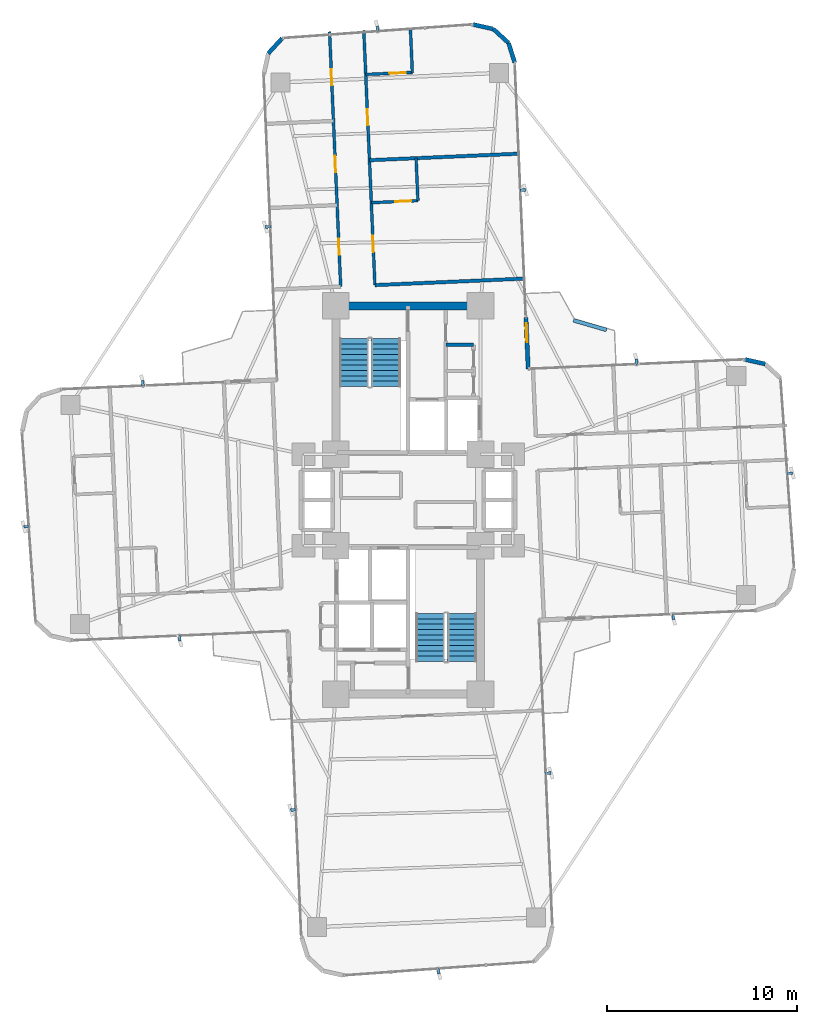
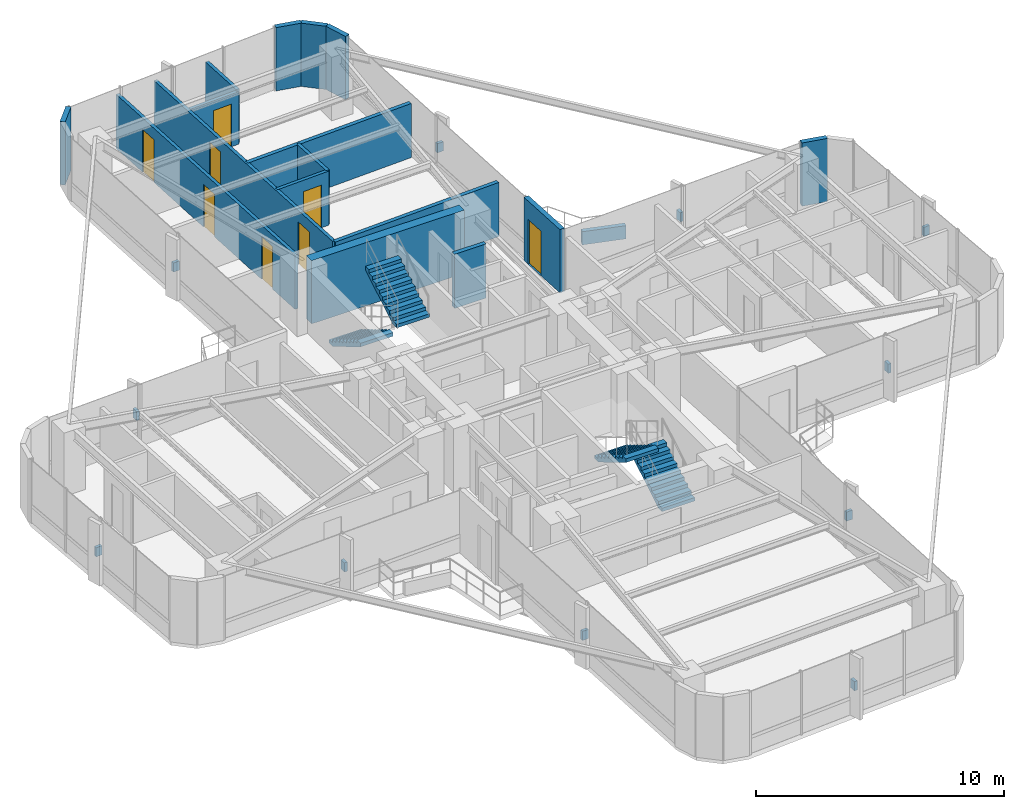
# One storey, part 25 of 26: 17 walls, 12 discrete accessories, 8 doors, 4 stair flights, 8 openings, 2 elements without a shape of their own.
"""IFC4 building model written with IfcOpenShell, lengths in metres."""

from ifc_helpers import new_model, si_unit, direction, frame, frame_2d, origin, origin_2d, place, context, subcontext, project, spatial, polyline, rectangle, outline, extrude, source, transform, mapped, material, layer, layer_set, type_object, element, fill, aggregate, save


model = new_model("IFC4")

# Units and contexts
model_context = context("Model", 3, precision=1e-05, world=origin(), true_north=direction((0.0, 1.0)))
body_context = subcontext(model_context, "Body", "Model", "MODEL_VIEW")
ifc_project = project(units=[si_unit("LENGTHUNIT", "METRE"), si_unit("AREAUNIT", "SQUARE_METRE"), si_unit("VOLUMEUNIT", "CUBIC_METRE"), si_unit("PLANEANGLEUNIT", "RADIAN"), si_unit("MASSUNIT", "GRAM", prefix="KILO")], contexts=[model_context])

# Site, building, storey
site_placement = place(None, origin())
site = spatial("IfcSite", under=ifc_project, at=site_placement, CompositionType="ELEMENT")
building_placement = place(site_placement, origin())
building = spatial("IfcBuilding", under=site, at=building_placement, Name="Sahyath Konkavel Grand Hotel", CompositionType="ELEMENT")
storey_placement = place(building_placement, frame((0.0, 0.0, 131.550048828125)))
storey = spatial("IfcBuildingStorey", under=building, at=storey_placement, Name="L36", CompositionType="ELEMENT", Elevation=131.550048828125)

# Walls
ifc_material_1 = material(Name="Concrete C50/60", Category="concrete")
ifc_layer_1 = layer(ifc_material_1, 0.419921875)
ifc_layer_set_1 = layer_set([ifc_layer_1], Name="Concrete C50/60")
wall_type_1 = type_object("IfcWallType", Name="CWALL-420", PredefinedType="SHEAR", material=ifc_layer_set_1)
wall_1_placement = place(storey_placement, frame((-3.550048828125, 10.199951171875, 0.0), z_axis=(0.0, 0.0, 1.0), x_axis=(1.0, 0.0, 0.0)))
element("IfcWall", 1, at=wall_1_placement, inside=storey, type_object=wall_type_1, Name="L36 North Core Shear Wall N", PredefinedType="SHEAR", context=body_context, shape_type="SweptSolid", body=[
    extrude(rectangle(XDim=7.10009765625, YDim=0.419921875, at=frame_2d((3.550048828125, 0.0))), origin(), (0.0, 0.0, 1.0), 3.10986328125),
])
ifc_material_2 = material(Name="Warm Buff Sandstone Insulated Concrete C40/50", Category="masonry")
ifc_layer_2 = layer(ifc_material_2, 0.219970703125)
ifc_layer_set_2 = layer_set([ifc_layer_2], Name="Warm Buff Sandstone Insulated Concrete C40/50")
wall_type_2 = type_object("IfcWallType", Name="WLL-BALC-THRESH", PredefinedType="STANDARD", material=ifc_layer_set_2)
wall_2_placement = place(storey_placement, frame((18.75634765625, 7.1435546875, 0.0), z_axis=(0.0, 0.0, 1.0), x_axis=(-0.976282085775, 0.216502399514, 0.0)))
element("IfcWall", 2, at=wall_2_placement, inside=storey, type_object=wall_type_2, Name="L36 Rounded Corner Sandstone Pier 6", PredefinedType="STANDARD", context=body_context, shape_type="SweptSolid", body=[
    extrude(rectangle(XDim=1.087158203125, YDim=0.219970703125, at=frame_2d((0.54345703125, 0.0))), origin(), (0.0, 0.0, 1.0), 3.10986328125),
])

# Wall, opening, door
wall_3_placement = place(storey_placement, frame((6.305908203125, 6.881591796875, 0.0), z_axis=(0.0, 0.0, 1.0), x_axis=(-0.043672655174, 0.999045894436, 0.0)))
wall_3 = element("IfcWall", 3, at=wall_3_placement, inside=storey, type_object=wall_type_2, Name="L36 Winter-Garden Threshold Wall 8", PredefinedType="STANDARD", context=body_context, shape_type="SweptSolid", body=[
    extrude(rectangle(XDim=2.7001953125, YDim=0.219970703125, at=frame_2d((1.35009765625, 0.0))), origin(), (0.0, 0.0, 1.0), 3.10986328125),
])
opening_1_placement = place(wall_3_placement, frame((1.39990234375, 0.0, 0.0)))
opening_1 = element("IfcOpeningElement", 4, at=opening_1_placement, cuts=wall_3, Name="Opening D-TR1", PredefinedType="OPENING", context=body_context, shape_type="SweptSolid", body=[
    extrude(rectangle(XDim=1.0, YDim=2.199951171875, at=frame_2d((0.5, 1.10009765625))), frame((0.0, 0.1201171875, 0.0), z_axis=(0.0, -1.0, 0.0), x_axis=(1.0, 0.0, 0.0)), (0.0, 0.0, 1.0), 0.239990234375),
])
ifc_material_3 = material(Name="Anodised Bronze Aluminium & Low-E Glazing", Category="aluminium")
door_type_1 = type_object("IfcDoorType", Name="DR-TERRACE-1000", OperationType="NOTDEFINED", PredefinedType="DOOR", material=ifc_material_3)
shared_shape_1 = source(origin(), body_context, "Body", "SweptSolid", [
    extrude(rectangle(XDim=1.0, YDim=0.050048828125, at=origin_2d()), origin(), (0.0, 0.0, 1.0), 2.199951171875),
])
door_1_placement = place(opening_1_placement, frame((0.5, 0.0, 0.0)))
door_1 = element("IfcDoor", 5, at=door_1_placement, inside=storey, type_object=door_type_1, Name="L36 Winter-Garden Terrace Door 8", OperationType="SINGLE_SWING_LEFT", OverallHeight=2.199951171875, OverallWidth=1.0, PredefinedType="DOOR", context=body_context, shape_type="MappedRepresentation", body=[
    mapped(shared_shape_1, transform((0.0, 0.0, 0.0), scale=1.0)),
])
fill(opening_1, door_1)

# Walls
wall_4_placement = place(storey_placement, frame((5.603515625, 22.96630859375, 0.0), z_axis=(0.0, 0.0, 1.0), x_axis=(-0.300755105707, 0.953701403161, 0.0)))
element("IfcWall", 6, at=wall_4_placement, inside=storey, type_object=wall_type_2, Name="L36 Rounded Corner Sandstone Pier 9", PredefinedType="STANDARD", context=body_context, shape_type="SweptSolid", body=[
    extrude(rectangle(XDim=1.0869140625, YDim=0.219970703125, at=frame_2d((0.54345703125, 0.0))), origin(), (0.0, 0.0, 1.0), 3.10986328125),
])
wall_5_placement = place(storey_placement, frame((5.276611328125, 24.0029296875, 0.0), z_axis=(0.0, 0.0, 1.0), x_axis=(-0.737312600672, 0.675551721847, 0.0)))
element("IfcWall", 7, at=wall_5_placement, inside=storey, type_object=wall_type_2, Name="L36 Rounded Corner Sandstone Pier 10", PredefinedType="STANDARD", context=body_context, shape_type="SweptSolid", body=[
    extrude(rectangle(XDim=1.087158203125, YDim=0.219970703125, at=frame_2d((0.54345703125, 0.0))), origin(), (0.0, 0.0, 1.0), 3.10986328125),
])
for number, where, z_axis, x_axis, name in (
    (8, (4.47509765625, 24.7373046875, 0.0), (0.0, 0.0, 1.0), (-0.976271555154, 0.216549880158, 0.0), "L36 Rounded Corner Sandstone Pier 11"),
    (9, (-6.6142578125, 24.253173828125, 0.0), (0.0, 0.0, 1.0), (-0.675663596772, -0.737210081318, 0.0), "L36 Rounded Corner Sandstone Pier 13"),
):
    element("IfcWall", number, at=place(storey_placement, frame(where, z_axis=z_axis, x_axis=x_axis)), inside=storey, type_object=wall_type_2, Name=name, PredefinedType="STANDARD", context=body_context, shape_type="SweptSolid", body=[
        extrude(rectangle(XDim=1.0869140625, YDim=0.219970703125, at=frame_2d((0.54345703125, 0.0))), origin(), (0.0, 0.0, 1.0), 3.10986328125),
    ])
ifc_material_4 = material(Name="Concrete C40/50", Category="concrete")
ifc_layer_3 = layer(ifc_material_4, 0.199951171875)
ifc_layer_set_3 = layer_set([ifc_layer_3], Name="Concrete C40/50")
wall_type_3 = type_object("IfcWallType", Name="WLL-CORE-200", PredefinedType="SOLIDWALL", material=ifc_layer_set_3)
wall_6_placement = place(storey_placement, frame((1.97998046875, 8.14990234375, 0.0), z_axis=(0.0, 0.0, 1.0), x_axis=(1.0, 0.0, 0.0)))
element("IfcWall", 10, at=wall_6_placement, inside=storey, type_object=wall_type_3, Name="L36 Partition NC-REC-N", PredefinedType="SOLIDWALL", context=body_context, shape_type="SweptSolid", body=[
    extrude(rectangle(XDim=1.4599609375, YDim=0.199951171875, at=frame_2d((0.72998046875, 0.0))), origin(), (0.0, 0.0, 1.0), 2.659912109375),
])
ifc_material_5 = material(Name="Twin-Stud Acoustic Gypsum Plasterboard Partition")
ifc_layer_4 = layer(ifc_material_5, 0.179931640625)
ifc_layer_set_4 = layer_set([ifc_layer_4], Name="Twin-Stud Acoustic Gypsum Plasterboard Partition")
wall_type_4 = type_object("IfcWallType", Name="WLL-DEMISE-180", PredefinedType="PARTITIONING", material=ifc_layer_set_4)
for number, where, z_axis, x_axis, name in (
    (11, (6.048583984375, 11.625, 0.0), (0.0, 0.0, 1.0), (-0.999047634936, -0.043632821702, 0.0), "L36 Partition N-INR"),
    (12, (-2.0302734375, 17.844482421875, 0.0), (0.0, 0.0, 1.0), (0.999047634936, 0.043632821702, 0.0), "L36 Partition N-N1R-DEM"),
):
    element("IfcWall", number, at=place(storey_placement, frame(where, z_axis=z_axis, x_axis=x_axis)), inside=storey, type_object=wall_type_4, Name=name, PredefinedType="PARTITIONING", context=body_context, shape_type="SweptSolid", body=[
        extrude(rectangle(XDim=7.7998046875, YDim=0.179931640625, at=frame_2d((3.89990234375, 0.0))), origin(), (0.0, 0.0, 1.0), 2.659912109375),
    ])

# Wall, openings, doors
ifc_material_6 = material(Name="Fire-Rated Gypsum Plasterboard Partition")
ifc_layer_5 = layer(ifc_material_6, 0.14990234375)
ifc_layer_set_5 = layer_set([ifc_layer_5], Name="Fire-Rated Gypsum Plasterboard Partition")
wall_type_5 = type_object("IfcWallType", Name="WLL-PART-150", PredefinedType="PARTITIONING", material=ifc_layer_set_5)
wall_7_placement = place(storey_placement, frame((-3.542236328125, 11.206298828125, 0.0), z_axis=(0.0, 0.0, 1.0), x_axis=(-0.043617493533, 0.999048304267, 0.0)))
wall_7 = element("IfcWall", 13, at=wall_7_placement, inside=storey, type_object=wall_type_5, Name="L36 Partition N-CL", PredefinedType="PARTITIONING", context=body_context, shape_type="SweptSolid", body=[
    extrude(rectangle(XDim=13.39990234375, YDim=0.14990234375, at=frame_2d((6.699951171875, 0.0))), origin(), (0.0, 0.0, 1.0), 2.659912109375),
])
opening_2_placement = place(wall_7_placement, frame((1.6689453125, 0.0, 0.0)))
opening_2 = element("IfcOpeningElement", 14, at=opening_2_placement, cuts=wall_7, Name="Opening D-F06D", PredefinedType="OPENING", context=body_context, shape_type="SweptSolid", body=[
    extrude(rectangle(XDim=0.85009765625, YDim=2.10009765625, at=frame_2d((0.425048828125, 1.050048828125))), frame((0.0, 0.0849609375, 0.0), z_axis=(0.0, -1.0, 0.0), x_axis=(1.0, 0.0, 0.0)), (0.0, 0.0, 1.0), 0.169921875),
])
opening_3_placement = place(wall_7_placement, frame((6.02392578125, 0.0, 0.0)))
opening_3 = element("IfcOpeningElement", 15, at=opening_3_placement, cuts=wall_7, Name="Opening D-F06D", PredefinedType="OPENING", context=body_context, shape_type="SweptSolid", body=[
    extrude(rectangle(XDim=0.85009765625, YDim=2.10009765625, at=frame_2d((0.425048828125, 1.050048828125))), frame((0.0, 0.0849609375, 0.0), z_axis=(0.0, -1.0, 0.0), x_axis=(1.0, 0.0, 0.0)), (0.0, 0.0, 1.0), 0.169921875),
])
opening_4_placement = place(wall_7_placement, frame((10.580078125, 0.0, 0.0)))
opening_4 = element("IfcOpeningElement", 16, at=opening_4_placement, cuts=wall_7, Name="Opening D-F06D", PredefinedType="OPENING", context=body_context, shape_type="SweptSolid", body=[
    extrude(rectangle(XDim=0.85009765625, YDim=2.10009765625, at=frame_2d((0.425048828125, 1.050048828125))), frame((0.0, 0.0849609375, 0.0), z_axis=(0.0, -1.0, 0.0), x_axis=(1.0, 0.0, 0.0)), (0.0, 0.0, 1.0), 0.169921875),
])
ifc_material_7 = material(Name="Fire-Rated Shaft Access Door")
door_type_2 = type_object("IfcDoorType", Name="DR-FD60-850", OperationType="NOTDEFINED", PredefinedType="DOOR", material=ifc_material_7)
shared_shape_2 = source(origin(), body_context, "Body", "SweptSolid", [
    extrude(rectangle(XDim=0.85009765625, YDim=0.050048828125, at=origin_2d()), origin(), (0.0, 0.0, 1.0), 2.10009765625),
])
door_2_placement = place(opening_2_placement, frame((0.425048828125, 0.0, 0.0)))
door_2 = element("IfcDoor", 17, at=door_2_placement, inside=storey, type_object=door_type_2, Name="L36 Door N-N1L-D", OperationType="SINGLE_SWING_RIGHT", OverallHeight=2.10009765625, OverallWidth=0.85009765625, PredefinedType="DOOR", context=body_context, shape_type="MappedRepresentation", body=[
    mapped(shared_shape_2, transform((0.0, 0.0, 0.0), scale=1.0)),
])
fill(opening_2, door_2)
door_3_placement = place(opening_3_placement, frame((0.425048828125, 0.0, 0.0)))
door_3 = element("IfcDoor", 18, at=door_3_placement, inside=storey, type_object=door_type_2, Name="L36 Door N-N2L-D", OperationType="SINGLE_SWING_LEFT", OverallHeight=2.10009765625, OverallWidth=0.85009765625, PredefinedType="DOOR", context=body_context, shape_type="MappedRepresentation", body=[
    mapped(shared_shape_2, transform((0.0, 0.0, 0.0), scale=1.0)),
])
fill(opening_3, door_3)
door_4_placement = place(opening_4_placement, frame((0.425048828125, 0.0, 0.0)))
door_4 = element("IfcDoor", 19, at=door_4_placement, inside=storey, type_object=door_type_2, Name="L36 Door N-N3L-D", OperationType="SINGLE_SWING_RIGHT", OverallHeight=2.10009765625, OverallWidth=0.85009765625, PredefinedType="DOOR", context=body_context, shape_type="MappedRepresentation", body=[
    mapped(shared_shape_2, transform((0.0, 0.0, 0.0), scale=1.0)),
])
fill(opening_4, door_4)

wall_8_placement = place(storey_placement, frame((-1.743896484375, 11.28466796875, 0.0), z_axis=(0.0, 0.0, 1.0), x_axis=(-0.043617493533, 0.999048304267, 0.0)))
wall_8 = element("IfcWall", 20, at=wall_8_placement, inside=storey, type_object=wall_type_5, Name="L36 Partition N-CR", PredefinedType="PARTITIONING", context=body_context, shape_type="SweptSolid", body=[
    extrude(rectangle(XDim=13.39990234375, YDim=0.14990234375, at=frame_2d((6.699951171875, 0.0))), origin(), (0.0, 0.0, 1.0), 2.659912109375),
])
opening_5_placement = place(wall_8_placement, frame((1.741943359375, 0.0, 0.0)))
opening_5 = element("IfcOpeningElement", 21, at=opening_5_placement, cuts=wall_8, Name="Opening D-F06D", PredefinedType="OPENING", context=body_context, shape_type="SweptSolid", body=[
    extrude(rectangle(XDim=0.85009765625, YDim=2.10009765625, at=frame_2d((0.425048828125, 1.050048828125))), frame((0.0, 0.0849609375, 0.0), z_axis=(0.0, -1.0, 0.0), x_axis=(1.0, 0.0, 0.0)), (0.0, 0.0, 1.0), 0.169921875),
])
opening_6_placement = place(wall_8_placement, frame((8.39599609375, 0.0, 0.0)))
opening_6 = element("IfcOpeningElement", 22, at=opening_6_placement, cuts=wall_8, Name="Opening D-F06D", PredefinedType="OPENING", context=body_context, shape_type="SweptSolid", body=[
    extrude(rectangle(XDim=0.85009765625, YDim=2.10009765625, at=frame_2d((0.425048828125, 1.050048828125))), frame((0.0, 0.0849609375, 0.0), z_axis=(0.0, -1.0, 0.0), x_axis=(1.0, 0.0, 0.0)), (0.0, 0.0, 1.0), 0.169921875),
])
door_5_placement = place(opening_5_placement, frame((0.425048828125, 0.0, 0.0)))
door_5 = element("IfcDoor", 23, at=door_5_placement, inside=storey, type_object=door_type_2, Name="L36 Door N-N1R-ED", OperationType="SINGLE_SWING_RIGHT", OverallHeight=2.10009765625, OverallWidth=0.85009765625, PredefinedType="DOOR", context=body_context, shape_type="MappedRepresentation", body=[
    mapped(shared_shape_2, transform((0.0, 0.0, 0.0), scale=1.0)),
])
fill(opening_5, door_5)
door_6_placement = place(opening_6_placement, frame((0.425048828125, 0.0, 0.0)))
door_6 = element("IfcDoor", 24, at=door_6_placement, inside=storey, type_object=door_type_2, Name="L36 Door N-N2R-ED", OperationType="SINGLE_SWING_RIGHT", OverallHeight=2.10009765625, OverallWidth=0.85009765625, PredefinedType="DOOR", context=body_context, shape_type="MappedRepresentation", body=[
    mapped(shared_shape_2, transform((0.0, 0.0, 0.0), scale=1.0)),
])
fill(opening_6, door_6)

# Wall, opening, door
wall_9_placement = place(storey_placement, frame((-1.932861328125, 15.614501953125, 0.0), z_axis=(0.0, 0.0, 1.0), x_axis=(0.999046922443, 0.043649132372, 0.0)))
wall_9 = element("IfcWall", 25, at=wall_9_placement, inside=storey, type_object=wall_type_5, Name="L36 Partition N-N1R-BS", PredefinedType="PARTITIONING", context=body_context, shape_type="SweptSolid", body=[
    extrude(rectangle(XDim=2.449951171875, YDim=0.14990234375, at=frame_2d((1.22509765625, 0.0))), origin(), (0.0, 0.0, 1.0), 2.659912109375),
])
opening_7_placement = place(wall_9_placement, frame((1.25, 0.0, 0.0)))
opening_7 = element("IfcOpeningElement", 26, at=opening_7_placement, cuts=wall_9, Name="Opening D-BT85", PredefinedType="OPENING", context=body_context, shape_type="SweptSolid", body=[
    extrude(rectangle(XDim=0.85009765625, YDim=2.10009765625, at=frame_2d((0.425048828125, 1.050048828125))), frame((0.0, 0.0849609375, 0.0), z_axis=(0.0, -1.0, 0.0), x_axis=(1.0, 0.0, 0.0)), (0.0, 0.0, 1.0), 0.169921875),
])
ifc_material_8 = material(Name="Moisture-Resistant Teak Bathroom Door")
door_type_3 = type_object("IfcDoorType", Name="DR-BATH-850", OperationType="NOTDEFINED", PredefinedType="DOOR", material=ifc_material_8)
door_7_placement = place(opening_7_placement, frame((0.425048828125, 0.0, 0.0)))
door_7 = element("IfcDoor", 27, at=door_7_placement, inside=storey, type_object=door_type_3, Name="L36 Door N-N1R-BD", OperationType="SINGLE_SWING_LEFT", OverallHeight=2.10009765625, OverallWidth=0.85009765625, PredefinedType="DOOR", context=body_context, shape_type="MappedRepresentation", body=[
    mapped(shared_shape_2, transform((0.0, 0.0, 0.0), scale=1.0)),
])
fill(opening_7, door_7)

# Wall
wall_10_placement = place(storey_placement, frame((0.5146484375, 15.721435546875, 0.0), z_axis=(0.0, 0.0, 1.0), x_axis=(-0.0435321553, 0.999052026401, 0.0)))
element("IfcWall", 28, at=wall_10_placement, inside=storey, type_object=wall_type_5, Name="L36 Partition N-N1R-BF", PredefinedType="PARTITIONING", context=body_context, shape_type="SweptSolid", body=[
    extrude(rectangle(XDim=2.232177734375, YDim=0.14990234375, at=frame_2d((1.1162109375, 0.0))), origin(), (0.0, 0.0, 1.0), 2.659912109375),
])

# Wall, opening, door
wall_11_placement = place(storey_placement, frame((-2.22705078125, 22.35009765625, 0.0), z_axis=(0.0, 0.0, 1.0), x_axis=(0.999047112283, 0.043644787072, 0.0)))
wall_11 = element("IfcWall", 29, at=wall_11_placement, inside=storey, type_object=wall_type_5, Name="L36 Partition N-N2R-BS", PredefinedType="PARTITIONING", context=body_context, shape_type="SweptSolid", body=[
    extrude(rectangle(XDim=2.4501953125, YDim=0.14990234375, at=frame_2d((1.22509765625, 0.0))), origin(), (0.0, 0.0, 1.0), 2.579833984375),
])
opening_8_placement = place(wall_11_placement, frame((1.25, 0.0, 0.0)))
opening_8 = element("IfcOpeningElement", 30, at=opening_8_placement, cuts=wall_11, Name="Opening D-BT85", PredefinedType="OPENING", context=body_context, shape_type="SweptSolid", body=[
    extrude(rectangle(XDim=0.85009765625, YDim=2.10009765625, at=frame_2d((0.425048828125, 1.050048828125))), frame((0.0, 0.0849609375, 0.0), z_axis=(0.0, -1.0, 0.0), x_axis=(1.0, 0.0, 0.0)), (0.0, 0.0, 1.0), 0.169921875),
])
door_8_placement = place(opening_8_placement, frame((0.425048828125, 0.0, 0.0)))
door_8 = element("IfcDoor", 31, at=door_8_placement, inside=storey, type_object=door_type_3, Name="L36 Door N-N2R-BD", OperationType="SINGLE_SWING_LEFT", OverallHeight=2.10009765625, OverallWidth=0.85009765625, PredefinedType="DOOR", context=body_context, shape_type="MappedRepresentation", body=[
    mapped(shared_shape_2, transform((0.0, 0.0, 0.0), scale=1.0)),
])
fill(opening_8, door_8)

# Walls
wall_12_placement = place(storey_placement, frame((0.220703125, 22.45703125, 0.0), z_axis=(0.0, 0.0, 1.0), x_axis=(-0.043596784584, 0.999049208184, 0.0)))
element("IfcWall", 32, at=wall_12_placement, inside=storey, type_object=wall_type_5, Name="L36 Partition N-N2R-BF", PredefinedType="PARTITIONING", context=body_context, shape_type="SweptSolid", body=[
    extrude(rectangle(XDim=2.323974609375, YDim=0.14990234375, at=frame_2d((1.162109375, 0.0))), origin(), (0.0, 0.0, 1.0), 2.659912109375),
])
ifc_material_9 = material(Name="Warm Buff Sandstone Planter Wall", Category="masonry")
ifc_layer_6 = layer(ifc_material_9, 0.199951171875)
ifc_layer_set_6 = layer_set([ifc_layer_6], Name="Warm Buff Sandstone Planter Wall")
wall_type_6 = type_object("IfcWallType", Name="WLL-PLANTER-200", PredefinedType="PARAPET", material=ifc_layer_set_6)
wall_13_placement = place(storey_placement, frame((10.423828125, 8.9296875, 0.0), z_axis=(0.0, 0.0, 1.0), x_axis=(-0.960055834773, 0.279808495436, 0.0)))
element("IfcWall", 33, at=wall_13_placement, inside=storey, type_object=wall_type_6, Name="L36 Sky-Garden Stone Planter PLANTER NE", PredefinedType="PARAPET", context=body_context, shape_type="SweptSolid", body=[
    extrude(rectangle(XDim=1.811279296875, YDim=0.199951171875, at=frame_2d((0.90576171875, 0.0))), origin(), (0.0, 0.0, 1.0), 0.64990234375),
])

# Stair, stair flights
stair_type = type_object("IfcStairType", Name="STR-ST16-335", PredefinedType="HALF_TURN_STAIR", material=ifc_material_4)
stair_1_placement = place(storey_placement, origin())
stair_1 = element("IfcStair", 34, at=stair_1_placement, inside=storey, type_object=stair_type, Name="L36 North Core Smokeproof Exit Stair ST-1", PredefinedType="HALF_TURN_STAIR")
stair_flight_type = type_object("IfcStairFlightType", Name="STF-ST16-335", PredefinedType="STRAIGHT", material=ifc_material_4)
stair_flight_1_placement = place(storey_placement, frame((-2.840087890625, 8.47998046875, 0.0), z_axis=(0.0, 0.0, 1.0), x_axis=(0.0, -1.0, 0.0)))
stair_flight_1 = element("IfcStairFlight", 35, at=stair_flight_1_placement, type_object=stair_flight_type, Name="ST-1 flight 1", NumberOfRisers=10, NumberOfTreads=9, PredefinedType="STRAIGHT", RiserHeight=0.1675, TreadLength=0.28, context=body_context, shape_type="SweptSolid", body=[
    extrude(outline(polyline([(0.0, 0.0), (0.0, 0.16748046875), (0.280029296875, 0.16748046875), (0.280029296875, 0.3349609375), (0.56005859375, 0.3349609375), (0.56005859375, 0.50244140625), (0.840087890625, 0.50244140625), (0.840087890625, 0.669921875), (1.1201171875, 0.669921875), (1.1201171875, 0.83740234375), (1.39990234375, 0.83740234375), (1.39990234375, 1.0048828125), (1.679931640625, 1.0048828125), (1.679931640625, 1.172607421875), (1.9599609375, 1.172607421875), (1.9599609375, 1.340087890625), (2.239990234375, 1.340087890625), (2.239990234375, 1.507568359375), (2.52001953125, 1.507568359375), (2.52001953125, 1.675048828125), (2.52001953125, 1.332763671875), (0.2919921875, 0.0), (0.0, 0.0)])), frame((0.0, 0.760009765625, 0.0), z_axis=(0.0, -1.0, 0.0), x_axis=(1.0, 0.0, 0.0)), (0.0, 0.0, 1.0), 1.52001953125),
])
stair_flight_2_placement = place(storey_placement, frame((-1.159912109375, 5.9599609375, 1.675048828125), z_axis=(0.0, 0.0, 1.0), x_axis=(0.0, 1.0, 0.0)))
stair_flight_2 = element("IfcStairFlight", 36, at=stair_flight_2_placement, type_object=stair_flight_type, Name="ST-1 flight 2", NumberOfRisers=10, NumberOfTreads=9, PredefinedType="STRAIGHT", RiserHeight=0.1675, TreadLength=0.28, context=body_context, shape_type="SweptSolid", body=[
    extrude(outline(polyline([(0.0, 0.0), (0.0, 0.16748046875), (0.280029296875, 0.16748046875), (0.280029296875, 0.3349609375), (0.56005859375, 0.3349609375), (0.56005859375, 0.50244140625), (0.840087890625, 0.50244140625), (0.840087890625, 0.669921875), (1.1201171875, 0.669921875), (1.1201171875, 0.83740234375), (1.39990234375, 0.83740234375), (1.39990234375, 1.0048828125), (1.679931640625, 1.0048828125), (1.679931640625, 1.172607421875), (1.9599609375, 1.172607421875), (1.9599609375, 1.340087890625), (2.239990234375, 1.340087890625), (2.239990234375, 1.507568359375), (2.52001953125, 1.507568359375), (2.52001953125, 1.675048828125), (2.52001953125, 1.332763671875), (0.2919921875, 0.0), (0.0, 0.0)])), frame((0.0, 0.760009765625, 0.0), z_axis=(0.0, -1.0, 0.0), x_axis=(1.0, 0.0, 0.0)), (0.0, 0.0, 1.0), 1.52001953125),
])
aggregate(stair_1, [stair_flight_1, stair_flight_2])

stair_2_placement = place(storey_placement, origin())
stair_2 = element("IfcStair", 37, at=stair_2_placement, inside=storey, type_object=stair_type, Name="L36 South Core Smokeproof Exit Stair ST-2", PredefinedType="HALF_TURN_STAIR")
stair_flight_3_placement = place(storey_placement, frame((2.840087890625, -8.47998046875, 0.0), z_axis=(0.0, 0.0, 1.0), x_axis=(0.0, 1.0, 0.0)))
stair_flight_3 = element("IfcStairFlight", 38, at=stair_flight_3_placement, type_object=stair_flight_type, Name="ST-2 flight 1", NumberOfRisers=10, NumberOfTreads=9, PredefinedType="STRAIGHT", RiserHeight=0.1675, TreadLength=0.28, context=body_context, shape_type="SweptSolid", body=[
    extrude(outline(polyline([(0.0, 0.0), (0.0, 0.16748046875), (0.280029296875, 0.16748046875), (0.280029296875, 0.3349609375), (0.56005859375, 0.3349609375), (0.56005859375, 0.50244140625), (0.840087890625, 0.50244140625), (0.840087890625, 0.669921875), (1.1201171875, 0.669921875), (1.1201171875, 0.83740234375), (1.39990234375, 0.83740234375), (1.39990234375, 1.0048828125), (1.679931640625, 1.0048828125), (1.679931640625, 1.172607421875), (1.9599609375, 1.172607421875), (1.9599609375, 1.340087890625), (2.239990234375, 1.340087890625), (2.239990234375, 1.507568359375), (2.52001953125, 1.507568359375), (2.52001953125, 1.675048828125), (2.52001953125, 1.332763671875), (0.2919921875, 0.0), (0.0, 0.0)])), frame((0.0, 0.760009765625, 0.0), z_axis=(0.0, -1.0, 0.0), x_axis=(1.0, 0.0, 0.0)), (0.0, 0.0, 1.0), 1.52001953125),
])
stair_flight_4_placement = place(storey_placement, frame((1.159912109375, -5.9599609375, 1.675048828125), z_axis=(0.0, 0.0, 1.0), x_axis=(0.0, -1.0, 0.0)))
stair_flight_4 = element("IfcStairFlight", 39, at=stair_flight_4_placement, type_object=stair_flight_type, Name="ST-2 flight 2", NumberOfRisers=10, NumberOfTreads=9, PredefinedType="STRAIGHT", RiserHeight=0.1675, TreadLength=0.28, context=body_context, shape_type="SweptSolid", body=[
    extrude(outline(polyline([(0.0, 0.0), (0.0, 0.16748046875), (0.280029296875, 0.16748046875), (0.280029296875, 0.3349609375), (0.56005859375, 0.3349609375), (0.56005859375, 0.50244140625), (0.840087890625, 0.50244140625), (0.840087890625, 0.669921875), (1.1201171875, 0.669921875), (1.1201171875, 0.83740234375), (1.39990234375, 0.83740234375), (1.39990234375, 1.0048828125), (1.679931640625, 1.0048828125), (1.679931640625, 1.172607421875), (1.9599609375, 1.172607421875), (1.9599609375, 1.340087890625), (2.239990234375, 1.340087890625), (2.239990234375, 1.507568359375), (2.52001953125, 1.507568359375), (2.52001953125, 1.675048828125), (2.52001953125, 1.332763671875), (0.2919921875, 0.0), (0.0, 0.0)])), frame((0.0, 0.760009765625, 0.0), z_axis=(0.0, -1.0, 0.0), x_axis=(1.0, 0.0, 0.0)), (0.0, 0.0, 1.0), 1.52001953125),
])
aggregate(stair_2, [stair_flight_3, stair_flight_4])

# Discrete accessories
ifc_material_10 = material(Name="Steel E350", Category="steel")
discrete_accessory_type = type_object("IfcDiscreteAccessoryType", Name="ACC-FIN-BRACKET", PredefinedType="BRACKET", material=ifc_material_10)
shared_shape_3 = source(origin(), body_context, "Body", "SweptSolid", [
    extrude(rectangle(XDim=0.280029296875, YDim=0.139892578125, at=origin_2d()), origin(), (0.0, 0.0, 1.0), 0.449951171875),
])
for number, where, z_axis, x_axis, name in (
    (40, (13.9306640625, -6.128173828125, 1.330078125), (0.0, 0.0, 1.0), (0.043601950678, -0.999048982732, 0.0), "L36 Fin Support Bracket F0-1"),
    (41, (20.047119140625, 1.404296875, 1.330078125), (0.0, 0.0, 1.0), (0.997435789037, 0.071567078661, 0.0), "L36 Fin Support Bracket F4-2"),
    (42, (11.99462890625, 7.26025390625, 1.330078125), (0.0, 0.0, 1.0), (-0.043619387365, 0.999048221582, 0.0), "L36 Fin Support Bracket F7-1"),
    (43, (6.025634765625, 16.2783203125, 1.330078125), (0.0, 0.0, 1.0), (0.999048221582, 0.043619387365, 0.0), "L36 Fin Support Bracket F8-1"),
    (44, (-1.609375, 24.74267578125, 1.330078125), (0.0, 0.0, 1.0), (-0.071567078661, 0.997435789037, 0.0), "L36 Fin Support Bracket F12-2"),
    (45, (-7.362548828125, 14.342529296875, 1.330078125), (0.0, 0.0, 1.0), (-0.999048221582, -0.043619387365, 0.0), "L36 Fin Support Bracket F15-1"),
    (46, (-13.9306640625, 6.128173828125, 1.330078125), (0.0, 0.0, 1.0), (-0.043601950678, 0.999048982732, 0.0), "L36 Fin Support Bracket F16-1"),
    (47, (-20.047119140625, -1.404296875, 1.330078125), (0.0, 0.0, 1.0), (-0.997435789037, -0.071567078661, 0.0), "L36 Fin Support Bracket F20-2"),
    (48, (-11.99462890625, -7.26025390625, 1.330078125), (0.0, 0.0, 1.0), (0.043619387365, -0.999048221582, 0.0), "L36 Fin Support Bracket F23-1"),
    (49, (-6.025634765625, -16.2783203125, 1.330078125), (0.0, 0.0, 1.0), (-0.999048221582, -0.043619387365, 0.0), "L36 Fin Support Bracket F24-1"),
    (50, (1.609375, -24.74267578125, 1.330078125), (0.0, 0.0, 1.0), (0.071567078661, -0.997435789037, 0.0), "L36 Fin Support Bracket F28-2"),
    (51, (7.362548828125, -14.342529296875, 1.330078125), (0.0, 0.0, 1.0), (0.999048221582, 0.043619387365, 0.0), "L36 Fin Support Bracket F31-1"),
):
    element("IfcDiscreteAccessory", number, at=place(storey_placement, frame(where, z_axis=z_axis, x_axis=x_axis)), inside=storey, type_object=discrete_accessory_type, Name=name, PredefinedType="BRACKET", context=body_context, shape_type="MappedRepresentation", body=[
        mapped(shared_shape_3, transform((0.0, 0.0, 0.0), scale=1.0)),
    ])

save(model, "model.ifc")
